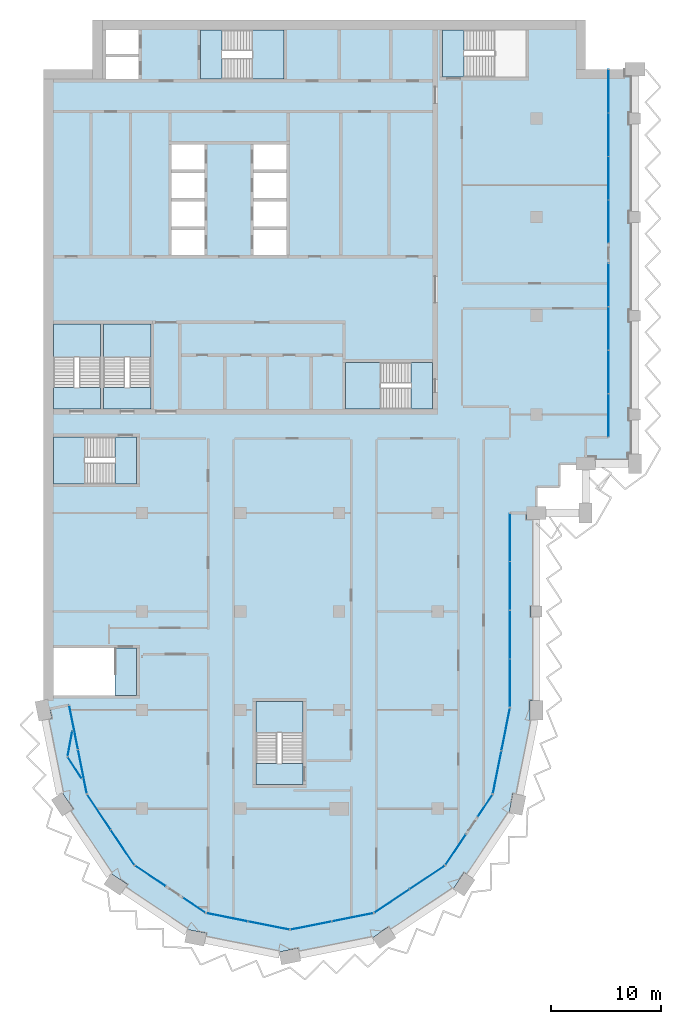
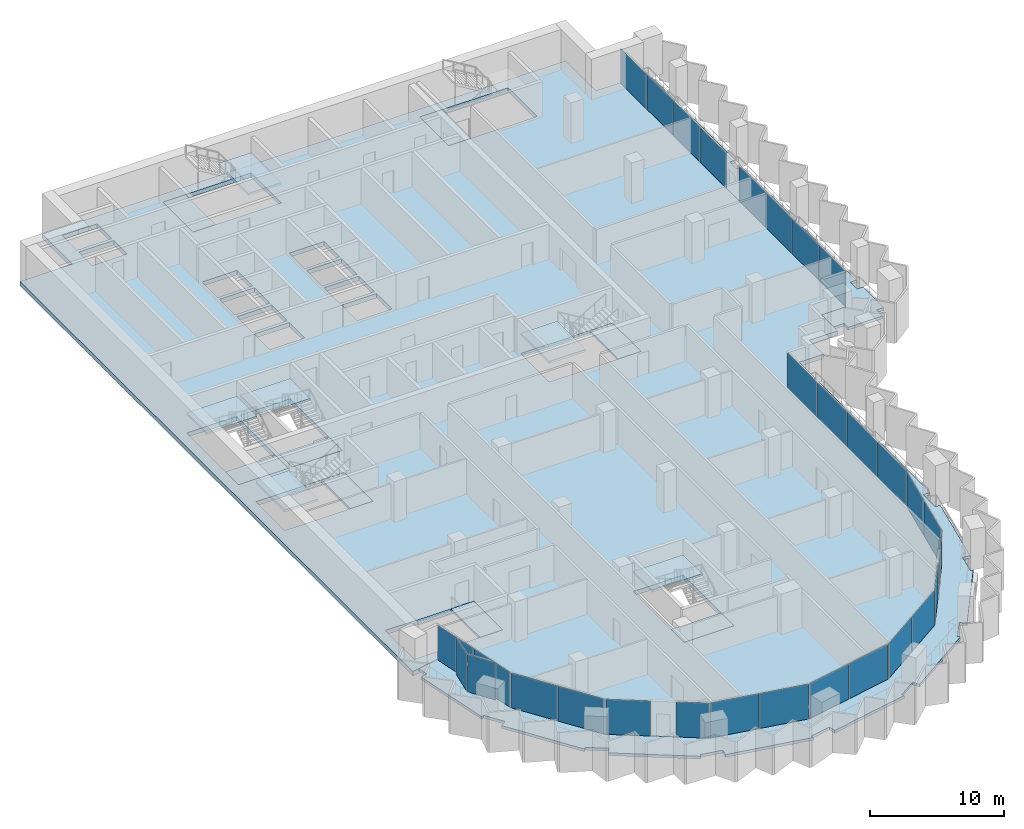
# One storey, part 7 of 18: 30 plates, 17 slabs, 21 elements without a shape of their own.
"""IFC4 building model written with IfcOpenShell, lengths in metres."""

from ifc_helpers import new_model, si_unit, direction, frame, origin, origin_2d, place, context, subcontext, project, spatial, polyline, rectangle, outline, extrude, material, layer, layer_set, type_object, element, aggregate, save


model = new_model("IFC4")

# Units and contexts
model_context = context("Model", 3, precision=1e-05, world=origin(), true_north=direction((0.0, 1.0)))
body_context = subcontext(model_context, "Body", "Model", "MODEL_VIEW")
ifc_project = project(units=[si_unit("LENGTHUNIT", "METRE"), si_unit("AREAUNIT", "SQUARE_METRE"), si_unit("VOLUMEUNIT", "CUBIC_METRE"), si_unit("PLANEANGLEUNIT", "RADIAN"), si_unit("MASSUNIT", "GRAM", prefix="KILO")], contexts=[model_context])

# Site, building, storey
site_placement = place(None, origin())
site = spatial("IfcSite", under=ifc_project, at=site_placement, CompositionType="ELEMENT")
building_placement = place(site_placement, origin())
building = spatial("IfcBuilding", under=site, at=building_placement, Name="Hunhe Ridgeline Campus", CompositionType="ELEMENT")
storey_placement = place(building_placement, frame((0.0, 0.0, 223.5)))
storey = spatial("IfcBuildingStorey", under=building, at=storey_placement, Name="L57", CompositionType="ELEMENT", Elevation=223.5)

# Curtain wall, plates
ifc_material_1 = material(Name="Aluminium 6063", Category="aluminium")
curtain_wall_type_1 = type_object("IfcCurtainWallType", Name="Curtain wall CW-5", PredefinedType="NOTDEFINED", material=ifc_material_1)
curtain_wall_1_placement = place(storey_placement, origin())
curtain_wall_1 = element("IfcCurtainWall", 1, at=curtain_wall_1_placement, inside=storey, type_object=curtain_wall_type_1, Name="Curtain wall 01", PredefinedType="NOTDEFINED")
ifc_material_2 = material(Name="Low-e laminated glass", Category="glass")
ifc_layer_1 = layer(ifc_material_2, 0.028076171875)
ifc_layer_set_1 = layer_set([ifc_layer_1], Name="Curtain wall glass panel 28 low-e laminated")
plate_type = type_object("IfcPlateType", Name="Curtain wall glass panel 28 low-e laminated", PredefinedType="CURTAIN_PANEL", material=ifc_layer_set_1)
plate_1_placement = place(storey_placement, frame((2.76318359375, 34.416015625, 0.0), z_axis=(0.0, 0.0, 1.0), x_axis=(0.195095347137, -0.980784280831, 0.0)))
plate_1 = element("IfcPlate", 2, at=plate_1_placement, type_object=plate_type, Name="CW-5 panel 1", PredefinedType="CURTAIN_PANEL", context=body_context, shape_type="SweptSolid", body=[
    extrude(rectangle(XDim=4.0458984375, YDim=0.028076171875, at=origin_2d()), origin(), (0.0, 0.0, 1.0), 3.179931640625),
])
plate_2_placement = place(storey_placement, frame((3.566162109375, 30.379150390625, 0.0), z_axis=(0.0, 0.0, 1.0), x_axis=(0.195095347137, -0.980784280831, 0.0)))
plate_2 = element("IfcPlate", 3, at=plate_2_placement, type_object=plate_type, Name="CW-5 panel 2", PredefinedType="CURTAIN_PANEL", context=body_context, shape_type="SweptSolid", body=[
    extrude(rectangle(XDim=4.0458984375, YDim=0.028076171875, at=origin_2d()), origin(), (0.0, 0.0, 1.0), 3.179931640625),
])
aggregate(curtain_wall_1, [plate_1, plate_2])

# Curtain wall, plate
curtain_wall_type_2 = type_object("IfcCurtainWallType", Name="Curtain wall CW-2", PredefinedType="NOTDEFINED", material=ifc_material_1)
curtain_wall_2_placement = place(storey_placement, origin())
curtain_wall_2 = element("IfcCurtainWall", 4, at=curtain_wall_2_placement, inside=storey, type_object=curtain_wall_type_2, Name="Curtain wall B01a", PredefinedType="NOTDEFINED")
plate_3_placement = place(storey_placement, frame((2.4248046875, 32.938720703125, 0.0), z_axis=(0.0, 0.0, 1.0), x_axis=(-0.183112559813, -0.983091954213, 0.0)))
plate_3 = element("IfcPlate", 5, at=plate_3_placement, type_object=plate_type, Name="CW-2 panel 1", PredefinedType="CURTAIN_PANEL", context=body_context, shape_type="SweptSolid", body=[
    extrude(rectangle(XDim=2.30322265625, YDim=0.028076171875, at=origin_2d()), origin(), (0.0, 0.0, 1.0), 3.389892578125),
])
aggregate(curtain_wall_2, [plate_3])

curtain_wall_3_placement = place(storey_placement, origin())
curtain_wall_3 = element("IfcCurtainWall", 6, at=curtain_wall_3_placement, inside=storey, type_object=curtain_wall_type_2, Name="Curtain wall B01b", PredefinedType="NOTDEFINED")
plate_4_placement = place(storey_placement, frame((2.86376953125, 30.73193359375, 0.0), z_axis=(0.0, 0.0, 1.0), x_axis=(0.545395474403, -0.838178845176, 0.0)))
plate_4 = element("IfcPlate", 7, at=plate_4_placement, type_object=plate_type, Name="CW-2 panel 1", PredefinedType="CURTAIN_PANEL", context=body_context, shape_type="SweptSolid", body=[
    extrude(rectangle(XDim=2.30322265625, YDim=0.028076171875, at=origin_2d()), origin(), (0.0, 0.0, 1.0), 3.389892578125),
])
aggregate(curtain_wall_3, [plate_4])

# Curtain wall, plates
curtain_wall_4_placement = place(storey_placement, origin())
curtain_wall_4 = element("IfcCurtainWall", 8, at=curtain_wall_4_placement, inside=storey, type_object=curtain_wall_type_1, Name="Curtain wall 02", PredefinedType="NOTDEFINED")
plate_5_placement = place(storey_placement, frame((5.07080078125, 26.685546875, 0.0), z_axis=(0.0, 0.0, 1.0), x_axis=(0.555570274596, -0.831469584522, 0.0)))
plate_5 = element("IfcPlate", 9, at=plate_5_placement, type_object=plate_type, Name="CW-5 panel 1", PredefinedType="CURTAIN_PANEL", context=body_context, shape_type="SweptSolid", body=[
    extrude(rectangle(XDim=3.806884765625, YDim=0.028076171875, at=origin_2d()), origin(), (0.0, 0.0, 1.0), 3.179931640625),
])
plate_6_placement = place(storey_placement, frame((7.224609375, 23.4619140625, 0.0), z_axis=(0.0, 0.0, 1.0), x_axis=(0.555570274596, -0.831469584522, 0.0)))
plate_6 = element("IfcPlate", 10, at=plate_6_placement, type_object=plate_type, Name="CW-5 panel 2", PredefinedType="CURTAIN_PANEL", context=body_context, shape_type="SweptSolid", body=[
    extrude(rectangle(XDim=3.806884765625, YDim=0.028076171875, at=origin_2d()), origin(), (0.0, 0.0, 1.0), 3.179931640625),
])
aggregate(curtain_wall_4, [plate_5, plate_6])

# Curtain wall, plate
curtain_wall_5_placement = place(storey_placement, origin())
curtain_wall_5 = element("IfcCurtainWall", 11, at=curtain_wall_5_placement, inside=storey, type_object=curtain_wall_type_1, Name="Curtain wall 03", PredefinedType="NOTDEFINED")
plate_7_placement = place(storey_placement, frame((9.76025390625, 20.859375, 0.0), z_axis=(0.0, 0.0, 1.0), x_axis=(0.831469595944, -0.555570257501, 0.0)))
plate_7 = element("IfcPlate", 12, at=plate_7_placement, type_object=plate_type, Name="CW-5 panel 1", PredefinedType="CURTAIN_PANEL", context=body_context, shape_type="SweptSolid", body=[
    extrude(rectangle(XDim=3.322021484375, YDim=0.028076171875, at=origin_2d()), origin(), (0.0, 0.0, 1.0), 3.179931640625),
])
aggregate(curtain_wall_5, [plate_7])

curtain_wall_6_placement = place(storey_placement, origin())
curtain_wall_6 = element("IfcCurtainWall", 13, at=curtain_wall_6_placement, inside=storey, type_object=curtain_wall_type_1, Name="Curtain wall 04", PredefinedType="NOTDEFINED")
plate_8_placement = place(storey_placement, frame((13.761474609375, 18.18603515625, 0.0), z_axis=(0.0, 0.0, 1.0), x_axis=(0.831469510353, -0.555570385598, 0.0)))
plate_8 = element("IfcPlate", 14, at=plate_8_placement, type_object=plate_type, Name="CW-5 panel 1", PredefinedType="CURTAIN_PANEL", context=body_context, shape_type="SweptSolid", body=[
    extrude(rectangle(XDim=2.421875, YDim=0.028076171875, at=origin_2d()), origin(), (0.0, 0.0, 1.0), 3.179931640625),
])
aggregate(curtain_wall_6, [plate_8])

# Curtain wall, plates
curtain_wall_7_placement = place(storey_placement, origin())
curtain_wall_7 = element("IfcCurtainWall", 15, at=curtain_wall_7_placement, inside=storey, type_object=curtain_wall_type_1, Name="Curtain wall 05", PredefinedType="NOTDEFINED")
plate_9_placement = place(storey_placement, frame((16.761962890625, 17.08935546875, 0.0), z_axis=(0.0, 0.0, 1.0), x_axis=(0.980785275326, -0.195090347539, 0.0)))
plate_9 = element("IfcPlate", 16, at=plate_9_placement, type_object=plate_type, Name="CW-5 panel 1", PredefinedType="CURTAIN_PANEL", context=body_context, shape_type="SweptSolid", body=[
    extrude(rectangle(XDim=3.806884765625, YDim=0.028076171875, at=origin_2d()), origin(), (0.0, 0.0, 1.0), 3.179931640625),
])
plate_10_placement = place(storey_placement, frame((20.564453125, 16.3330078125, 0.0), z_axis=(0.0, 0.0, 1.0), x_axis=(0.980785275326, -0.195090347539, 0.0)))
plate_10 = element("IfcPlate", 17, at=plate_10_placement, type_object=plate_type, Name="CW-5 panel 2", PredefinedType="CURTAIN_PANEL", context=body_context, shape_type="SweptSolid", body=[
    extrude(rectangle(XDim=3.806884765625, YDim=0.028076171875, at=origin_2d()), origin(), (0.0, 0.0, 1.0), 3.179931640625),
])
aggregate(curtain_wall_7, [plate_9, plate_10])

curtain_wall_8_placement = place(storey_placement, origin())
curtain_wall_8 = element("IfcCurtainWall", 18, at=curtain_wall_8_placement, inside=storey, type_object=curtain_wall_type_1, Name="Curtain wall 06", PredefinedType="NOTDEFINED")
plate_11_placement = place(storey_placement, frame((24.435546875, 16.3330078125, 0.0), z_axis=(0.0, 0.0, 1.0), x_axis=(0.980785275326, 0.195090347539, 0.0)))
plate_11 = element("IfcPlate", 19, at=plate_11_placement, type_object=plate_type, Name="CW-5 panel 1", PredefinedType="CURTAIN_PANEL", context=body_context, shape_type="SweptSolid", body=[
    extrude(rectangle(XDim=3.806884765625, YDim=0.028076171875, at=origin_2d()), origin(), (0.0, 0.0, 1.0), 3.179931640625),
])
plate_12_placement = place(storey_placement, frame((28.238037109375, 17.08935546875, 0.0), z_axis=(0.0, 0.0, 1.0), x_axis=(0.980785275326, 0.195090347539, 0.0)))
plate_12 = element("IfcPlate", 20, at=plate_12_placement, type_object=plate_type, Name="CW-5 panel 2", PredefinedType="CURTAIN_PANEL", context=body_context, shape_type="SweptSolid", body=[
    extrude(rectangle(XDim=3.806884765625, YDim=0.028076171875, at=origin_2d()), origin(), (0.0, 0.0, 1.0), 3.179931640625),
])
aggregate(curtain_wall_8, [plate_11, plate_12])

curtain_wall_9_placement = place(storey_placement, origin())
curtain_wall_9 = element("IfcCurtainWall", 21, at=curtain_wall_9_placement, inside=storey, type_object=curtain_wall_type_1, Name="Curtain wall 07", PredefinedType="NOTDEFINED")
plate_13_placement = place(storey_placement, frame((31.814453125, 18.57080078125, 0.0), z_axis=(0.0, 0.0, 1.0), x_axis=(0.831469584522, 0.555570274596, 0.0)))
plate_13 = element("IfcPlate", 22, at=plate_13_placement, type_object=plate_type, Name="CW-5 panel 1", PredefinedType="CURTAIN_PANEL", context=body_context, shape_type="SweptSolid", body=[
    extrude(rectangle(XDim=3.806884765625, YDim=0.028076171875, at=origin_2d()), origin(), (0.0, 0.0, 1.0), 3.179931640625),
])
plate_14_placement = place(storey_placement, frame((35.0380859375, 20.724609375, 0.0), z_axis=(0.0, 0.0, 1.0), x_axis=(0.831469584522, 0.555570274596, 0.0)))
plate_14 = element("IfcPlate", 23, at=plate_14_placement, type_object=plate_type, Name="CW-5 panel 2", PredefinedType="CURTAIN_PANEL", context=body_context, shape_type="SweptSolid", body=[
    extrude(rectangle(XDim=3.806884765625, YDim=0.028076171875, at=origin_2d()), origin(), (0.0, 0.0, 1.0), 3.179931640625),
])
aggregate(curtain_wall_9, [plate_13, plate_14])

# Curtain wall, plate
curtain_wall_10_placement = place(storey_placement, origin())
curtain_wall_10 = element("IfcCurtainWall", 24, at=curtain_wall_10_placement, inside=storey, type_object=curtain_wall_type_1, Name="Curtain wall 08", PredefinedType="NOTDEFINED")
plate_15_placement = place(storey_placement, frame((37.640625, 23.26025390625, 0.0), z_axis=(0.0, 0.0, 1.0), x_axis=(0.555570257501, 0.831469595944, 0.0)))
plate_15 = element("IfcPlate", 25, at=plate_15_placement, type_object=plate_type, Name="CW-5 panel 1", PredefinedType="CURTAIN_PANEL", context=body_context, shape_type="SweptSolid", body=[
    extrude(rectangle(XDim=3.322021484375, YDim=0.028076171875, at=origin_2d()), origin(), (0.0, 0.0, 1.0), 3.179931640625),
])
aggregate(curtain_wall_10, [plate_15])

curtain_wall_11_placement = place(storey_placement, origin())
curtain_wall_11 = element("IfcCurtainWall", 26, at=curtain_wall_11_placement, inside=storey, type_object=curtain_wall_type_1, Name="Curtain wall 09", PredefinedType="NOTDEFINED")
plate_16_placement = place(storey_placement, frame((40.31396484375, 27.261474609375, 0.0), z_axis=(0.0, 0.0, 1.0), x_axis=(0.555570385598, 0.831469510353, 0.0)))
plate_16 = element("IfcPlate", 27, at=plate_16_placement, type_object=plate_type, Name="CW-5 panel 1", PredefinedType="CURTAIN_PANEL", context=body_context, shape_type="SweptSolid", body=[
    extrude(rectangle(XDim=2.421875, YDim=0.028076171875, at=origin_2d()), origin(), (0.0, 0.0, 1.0), 3.179931640625),
])
aggregate(curtain_wall_11, [plate_16])

# Curtain wall, plates
curtain_wall_12_placement = place(storey_placement, origin())
curtain_wall_12 = element("IfcCurtainWall", 28, at=curtain_wall_12_placement, inside=storey, type_object=curtain_wall_type_1, Name="Curtain wall 10", PredefinedType="NOTDEFINED")
plate_17_placement = place(storey_placement, frame((41.42236328125, 30.321044921875, 0.0), z_axis=(0.0, 0.0, 1.0), x_axis=(0.195090299215, 0.980785284939, 0.0)))
plate_17 = element("IfcPlate", 29, at=plate_17_placement, type_object=plate_type, Name="CW-5 panel 1", PredefinedType="CURTAIN_PANEL", context=body_context, shape_type="SweptSolid", body=[
    extrude(rectangle(XDim=3.927490234375, YDim=0.028076171875, at=origin_2d()), origin(), (0.0, 0.0, 1.0), 3.179931640625),
])
plate_18_placement = place(storey_placement, frame((42.2021484375, 34.24169921875, 0.0), z_axis=(0.0, 0.0, 1.0), x_axis=(0.195090299215, 0.980785284939, 0.0)))
plate_18 = element("IfcPlate", 30, at=plate_18_placement, type_object=plate_type, Name="CW-5 panel 2", PredefinedType="CURTAIN_PANEL", context=body_context, shape_type="SweptSolid", body=[
    extrude(rectangle(XDim=3.927490234375, YDim=0.028076171875, at=origin_2d()), origin(), (0.0, 0.0, 1.0), 3.179931640625),
])
aggregate(curtain_wall_12, [plate_17, plate_18])

curtain_wall_type_3 = type_object("IfcCurtainWallType", Name="Curtain wall CW-1", PredefinedType="NOTDEFINED", material=ifc_material_1)
curtain_wall_13_placement = place(storey_placement, origin())
curtain_wall_13 = element("IfcCurtainWall", 31, at=curtain_wall_13_placement, inside=storey, type_object=curtain_wall_type_3, Name="Curtain wall 11", PredefinedType="NOTDEFINED")
plate_19_placement = place(storey_placement, frame((42.59912109375, 38.471923828125, 0.0), z_axis=(0.0, 0.0, 1.0), x_axis=(6.642653e-06, 0.999999999978, 0.0)))
plate_19 = element("IfcPlate", 32, at=plate_19_placement, type_object=plate_type, Name="CW-1 panel 1", PredefinedType="CURTAIN_PANEL", context=body_context, shape_type="SweptSolid", body=[
    extrude(rectangle(XDim=4.35107421875, YDim=0.028076171875, at=origin_2d()), origin(), (0.0, 0.0, 1.0), 3.18994140625),
])
plate_20_placement = place(storey_placement, frame((42.59912109375, 42.89794921875, 0.0), z_axis=(0.0, 0.0, 1.0), x_axis=(6.642653e-06, 0.999999999978, 0.0)))
plate_20 = element("IfcPlate", 33, at=plate_20_placement, type_object=plate_type, Name="CW-1 panel 2", PredefinedType="CURTAIN_PANEL", context=body_context, shape_type="SweptSolid", body=[
    extrude(rectangle(XDim=4.381103515625, YDim=0.028076171875, at=origin_2d()), origin(), (0.0, 0.0, 1.0), 3.18994140625),
])
plate_21_placement = place(storey_placement, frame((42.59912109375, 47.3388671875, 0.0), z_axis=(0.0, 0.0, 1.0), x_axis=(6.642653e-06, 0.999999999978, 0.0)))
plate_21 = element("IfcPlate", 34, at=plate_21_placement, type_object=plate_type, Name="CW-1 panel 3", PredefinedType="CURTAIN_PANEL", context=body_context, shape_type="SweptSolid", body=[
    extrude(rectangle(XDim=4.381103515625, YDim=0.028076171875, at=origin_2d()), origin(), (0.0, 0.0, 1.0), 3.18994140625),
])
plate_22_placement = place(storey_placement, frame((42.59912109375, 51.764892578125, 0.0), z_axis=(0.0, 0.0, 1.0), x_axis=(6.642653e-06, 0.999999999978, 0.0)))
plate_22 = element("IfcPlate", 35, at=plate_22_placement, type_object=plate_type, Name="CW-1 panel 4", PredefinedType="CURTAIN_PANEL", context=body_context, shape_type="SweptSolid", body=[
    extrude(rectangle(XDim=4.35107421875, YDim=0.028076171875, at=origin_2d()), origin(), (0.0, 0.0, 1.0), 3.18994140625),
])
aggregate(curtain_wall_13, [plate_19, plate_20, plate_21, plate_22])

curtain_wall_14_placement = place(storey_placement, origin())
curtain_wall_14 = element("IfcCurtainWall", 36, at=curtain_wall_14_placement, inside=storey, type_object=curtain_wall_type_3, Name="Curtain wall 12", PredefinedType="NOTDEFINED")
plate_23_placement = place(storey_placement, frame((51.59912109375, 62.9033203125, 0.0), z_axis=(0.0, 0.0, 1.0), x_axis=(0.0, 1.0, 0.0)))
plate_23 = element("IfcPlate", 37, at=plate_23_placement, type_object=plate_type, Name="CW-1 panel 1", PredefinedType="CURTAIN_PANEL", context=body_context, shape_type="SweptSolid", body=[
    extrude(rectangle(XDim=3.884765625, YDim=0.028076171875, at=origin_2d()), origin(), (0.0, 0.0, 1.0), 3.18994140625),
])
plate_24_placement = place(storey_placement, frame((51.59912109375, 66.86328125, 0.0), z_axis=(0.0, 0.0, 1.0), x_axis=(0.0, 1.0, 0.0)))
plate_24 = element("IfcPlate", 38, at=plate_24_placement, type_object=plate_type, Name="CW-1 panel 2", PredefinedType="CURTAIN_PANEL", context=body_context, shape_type="SweptSolid", body=[
    extrude(rectangle(XDim=3.914794921875, YDim=0.028076171875, at=origin_2d()), origin(), (0.0, 0.0, 1.0), 3.18994140625),
])
plate_25_placement = place(storey_placement, frame((51.59912109375, 70.838134765625, 0.0), z_axis=(0.0, 0.0, 1.0), x_axis=(0.0, 1.0, 0.0)))
plate_25 = element("IfcPlate", 39, at=plate_25_placement, type_object=plate_type, Name="CW-1 panel 3", PredefinedType="CURTAIN_PANEL", context=body_context, shape_type="SweptSolid", body=[
    extrude(rectangle(XDim=3.914794921875, YDim=0.028076171875, at=origin_2d()), origin(), (0.0, 0.0, 1.0), 3.18994140625),
])
plate_26_placement = place(storey_placement, frame((51.59912109375, 74.798095703125, 0.0), z_axis=(0.0, 0.0, 1.0), x_axis=(0.0, 1.0, 0.0)))
plate_26 = element("IfcPlate", 40, at=plate_26_placement, type_object=plate_type, Name="CW-1 panel 4", PredefinedType="CURTAIN_PANEL", context=body_context, shape_type="SweptSolid", body=[
    extrude(rectangle(XDim=3.884765625, YDim=0.028076171875, at=origin_2d()), origin(), (0.0, 0.0, 1.0), 3.18994140625),
])
aggregate(curtain_wall_14, [plate_23, plate_24, plate_25, plate_26])

curtain_wall_15_placement = place(storey_placement, origin())
curtain_wall_15 = element("IfcCurtainWall", 41, at=curtain_wall_15_placement, inside=storey, type_object=curtain_wall_type_3, Name="Curtain wall 13", PredefinedType="NOTDEFINED")
plate_27_placement = place(storey_placement, frame((51.59912109375, 80.60302734375, 0.0), z_axis=(0.0, 0.0, 1.0), x_axis=(0.0, 1.0, 0.0)))
plate_27 = element("IfcPlate", 42, at=plate_27_placement, type_object=plate_type, Name="CW-1 panel 1", PredefinedType="CURTAIN_PANEL", context=body_context, shape_type="SweptSolid", body=[
    extrude(rectangle(XDim=3.884765625, YDim=0.028076171875, at=origin_2d()), origin(), (0.0, 0.0, 1.0), 3.18994140625),
])
plate_28_placement = place(storey_placement, frame((51.59912109375, 84.562744140625, 0.0), z_axis=(0.0, 0.0, 1.0), x_axis=(0.0, 1.0, 0.0)))
plate_28 = element("IfcPlate", 43, at=plate_28_placement, type_object=plate_type, Name="CW-1 panel 2", PredefinedType="CURTAIN_PANEL", context=body_context, shape_type="SweptSolid", body=[
    extrude(rectangle(XDim=3.914794921875, YDim=0.028076171875, at=origin_2d()), origin(), (0.0, 0.0, 1.0), 3.18994140625),
])
plate_29_placement = place(storey_placement, frame((51.59912109375, 88.53759765625, 0.0), z_axis=(0.0, 0.0, 1.0), x_axis=(0.0, 1.0, 0.0)))
plate_29 = element("IfcPlate", 44, at=plate_29_placement, type_object=plate_type, Name="CW-1 panel 3", PredefinedType="CURTAIN_PANEL", context=body_context, shape_type="SweptSolid", body=[
    extrude(rectangle(XDim=3.914794921875, YDim=0.028076171875, at=origin_2d()), origin(), (0.0, 0.0, 1.0), 3.18994140625),
])
plate_30_placement = place(storey_placement, frame((51.59912109375, 92.49755859375, 0.0), z_axis=(0.0, 0.0, 1.0), x_axis=(0.0, 1.0, 0.0)))
plate_30 = element("IfcPlate", 45, at=plate_30_placement, type_object=plate_type, Name="CW-1 panel 4", PredefinedType="CURTAIN_PANEL", context=body_context, shape_type="SweptSolid", body=[
    extrude(rectangle(XDim=3.884765625, YDim=0.028076171875, at=origin_2d()), origin(), (0.0, 0.0, 1.0), 3.18994140625),
])
aggregate(curtain_wall_15, [plate_27, plate_28, plate_29, plate_30])

# Slabs
ifc_material_3 = material(Name="Concrete C40", Category="concrete")
ifc_layer_2 = layer(ifc_material_3, 0.39990234375)
ifc_layer_set_2 = layer_set([ifc_layer_2], Name="Floor slab 400 Concrete C40")
slab_type_1 = type_object("IfcSlabType", Name="Floor slab 400 Concrete C40", PredefinedType="FLOOR", material=ifc_layer_set_2)
slab_1_placement = place(storey_placement, frame((0.0, 0.0, -0.39990234375)))
element("IfcSlab", 46, at=slab_1_placement, inside=storey, type_object=slab_type_1, Name="Floor slab L57 1", PredefinedType="FLOOR", context=body_context, shape_type="SweptSolid", body=[
    extrude(outline(polyline([(30.173583984375, 17.474365234375), (36.678955078125, 21.821044921875), (41.025634765625, 28.326416015625), (42.59912109375, 36.236572265625), (42.59912109375, 54.00048828125), (44.9990234375, 54.0009765625), (44.999267578125, 56.400634765625), (47.09912109375, 56.40087890625), (47.099609375, 58.5009765625), (49.4990234375, 58.5009765625), (49.49951171875, 60.90087890625), (51.59912109375, 60.90087890625), (51.59912109375, 94.5), (49.5, 94.5), (49.5, 99.0), (4.5, 99.0), (4.5, 94.5), (0.0, 94.5), (0.0, 36.0009765625), (2.354736328125, 36.46875), (3.974365234375, 28.326416015625), (8.321044921875, 21.821044921875), (14.826416015625, 17.474365234375), (22.5, 15.947998046875), (30.173583984375, 17.474365234375)]), holes=[polyline([(36.449951171875, 93.800048828125), (44.050048828125, 93.800048828125), (44.050048828125, 98.10009765625), (36.449951171875, 98.10009765625), (36.449951171875, 93.800048828125)]), polyline([(35.5, 63.5), (35.5, 67.75), (27.60009765625, 67.75), (27.60009765625, 63.5), (35.5, 63.5)]), polyline([(19.39990234375, 29.199951171875), (23.699951171875, 29.199951171875), (23.699951171875, 36.800048828125), (19.39990234375, 36.800048828125), (19.39990234375, 29.199951171875)]), polyline([(22.199951171875, 80.14990234375), (22.199951171875, 82.449951171875), (19.199951171875, 82.449951171875), (19.199951171875, 80.14990234375), (22.199951171875, 80.14990234375)]), polyline([(22.199951171875, 79.85009765625), (19.199951171875, 79.85009765625), (19.199951171875, 77.550048828125), (22.199951171875, 77.550048828125), (22.199951171875, 79.85009765625)]), polyline([(19.199951171875, 87.64990234375), (19.199951171875, 85.35009765625), (22.199951171875, 85.35009765625), (22.199951171875, 87.64990234375), (19.199951171875, 87.64990234375)]), polyline([(19.199951171875, 82.75), (22.199951171875, 82.75), (22.199951171875, 85.050048828125), (19.199951171875, 85.050048828125), (19.199951171875, 82.75)]), polyline([(14.35009765625, 93.60009765625), (21.949951171875, 93.60009765625), (21.949951171875, 98.10009765625), (14.35009765625, 98.10009765625), (14.35009765625, 93.60009765625)]), polyline([(14.699951171875, 79.85009765625), (11.699951171875, 79.85009765625), (11.699951171875, 77.550048828125), (14.699951171875, 77.550048828125), (14.699951171875, 79.85009765625)]), polyline([(14.699951171875, 80.14990234375), (14.699951171875, 82.449951171875), (11.699951171875, 82.449951171875), (11.699951171875, 80.14990234375), (14.699951171875, 80.14990234375)]), polyline([(11.699951171875, 87.64990234375), (11.699951171875, 85.35009765625), (14.699951171875, 85.35009765625), (14.699951171875, 87.64990234375), (11.699951171875, 87.64990234375)]), polyline([(11.699951171875, 82.75), (14.699951171875, 82.75), (14.699951171875, 85.050048828125), (11.699951171875, 85.050048828125), (11.699951171875, 82.75)]), polyline([(9.800048828125, 71.25), (5.5, 71.25), (5.5, 63.5), (9.800048828125, 63.5), (9.800048828125, 71.25)]), polyline([(8.699951171875, 95.89990234375), (8.699951171875, 98.10009765625), (5.699951171875, 98.10009765625), (5.699951171875, 95.89990234375), (8.699951171875, 95.89990234375)]), polyline([(8.699951171875, 95.60009765625), (5.699951171875, 95.60009765625), (5.699951171875, 93.60009765625), (8.699951171875, 93.60009765625), (8.699951171875, 95.60009765625)]), polyline([(0.89990234375, 37.35009765625), (8.5, 37.35009765625), (8.5, 41.64990234375), (0.89990234375, 41.64990234375), (0.89990234375, 37.35009765625)]), polyline([(0.89990234375, 60.949951171875), (0.89990234375, 56.64990234375), (8.5, 56.64990234375), (8.5, 60.949951171875), (0.89990234375, 60.949951171875)]), polyline([(0.89990234375, 71.25), (0.89990234375, 63.5), (5.199951171875, 63.5), (5.199951171875, 71.25), (0.89990234375, 71.25)])]), origin(), (0.0, 0.0, 1.0), 0.39990234375),
])
ifc_layer_3 = layer(ifc_material_3, 0.25)
ifc_layer_set_3 = layer_set([ifc_layer_3], Name="Loggia slab 250 Concrete C40")
slab_type_2 = type_object("IfcSlabType", Name="Loggia slab 250 Concrete C40", PredefinedType="FLOOR", material=ifc_layer_set_3)
slab_2_placement = place(storey_placement, frame((0.0, 0.0, -0.25)))
element("IfcSlab", 47, at=slab_2_placement, inside=storey, type_object=slab_type_2, Name="Loggia slab 1", PredefinedType="FLOOR", context=body_context, shape_type="SweptSolid", body=[
    extrude(outline(polyline([(30.173828125, 17.473388671875), (22.5, 15.947021484375), (14.826171875, 17.473388671875), (8.3203125, 21.8203125), (3.973388671875, 28.326171875), (2.35400390625, 36.46826171875), (0.58837890625, 36.116943359375), (0.76416015625, 35.234375), (0.175537109375, 35.1171875), (1.522705078125, 28.344970703125), (1.711669921875, 28.47119140625), (2.711669921875, 26.974609375), (2.212646484375, 26.641357421875), (6.048828125, 20.900146484375), (6.175048828125, 21.089111328125), (7.671875, 20.0888671875), (7.33837890625, 19.590087890625), (13.07958984375, 15.75390625), (13.1240234375, 15.976806640625), (14.889404296875, 15.62548828125), (14.772216796875, 15.037109375), (21.544677734375, 13.68994140625), (21.500244140625, 13.912841796875), (23.265625, 14.26416015625), (23.3828125, 13.675537109375), (30.155029296875, 15.022705078125), (30.02880859375, 15.211669921875), (31.525390625, 16.211669921875), (31.858642578125, 15.712646484375), (37.599853515625, 19.548828125), (37.410888671875, 19.675048828125), (38.4111328125, 21.171875), (38.909912109375, 20.83837890625), (42.74609375, 26.57958984375), (42.523193359375, 26.6240234375), (42.87451171875, 28.389404296875), (43.462890625, 28.272216796875), (44.821044921875, 35.10009765625), (44.39990234375, 35.10009765625), (44.39990234375, 36.89990234375), (45.0, 36.89990234375), (45.0, 44.5), (44.5, 44.5), (44.5, 45.5), (45.0, 45.5), (45.0, 53.39990234375), (44.10009765625, 53.39990234375), (44.10009765625, 54.0), (42.60009765625, 54.0), (42.60009765625, 36.236328125), (41.026611328125, 28.326171875), (36.6796875, 21.8203125), (30.173828125, 17.473388671875)])), origin(), (0.0, 0.0, 1.0), 0.25),
])
slab_3_placement = place(storey_placement, frame((0.0, 0.0, -0.25)))
element("IfcSlab", 48, at=slab_3_placement, inside=storey, type_object=slab_type_2, Name="Loggia slab 2", PredefinedType="FLOOR", context=body_context, shape_type="SweptSolid", body=[
    extrude(outline(polyline([(49.5, 59.10009765625), (50.39990234375, 59.10009765625), (50.39990234375, 58.5), (53.39990234375, 58.5), (53.39990234375, 59.39990234375), (54.0, 59.39990234375), (54.0, 62.5), (53.5, 62.5), (53.5, 63.5), (54.0, 63.5), (54.0, 71.5), (53.5, 71.5), (53.5, 72.5), (54.0, 72.5), (54.0, 80.5), (53.5, 80.5), (53.5, 81.5), (54.0, 81.5), (54.0, 89.5), (53.5, 89.5), (53.5, 90.5), (54.0, 90.5), (54.0, 93.89990234375), (53.10009765625, 93.89990234375), (53.10009765625, 94.5), (51.60009765625, 94.5), (51.60009765625, 60.89990234375), (49.5, 60.89990234375), (49.5, 59.10009765625)])), origin(), (0.0, 0.0, 1.0), 0.25),
])

# Stair, slab
stair_type = type_object("IfcStairType", Name="Reinforced concrete dog-leg stair 1950 Concrete C40", PredefinedType="HALF_TURN_STAIR", material=ifc_material_3)
stair_1_placement = place(storey_placement, origin())
stair_1 = element("IfcStair", 49, at=stair_1_placement, inside=storey, type_object=stair_type, Name="L57 S1", PredefinedType="HALF_TURN_STAIR")
ifc_layer_4 = layer(ifc_material_3, 0.199951171875)
ifc_layer_set_4 = layer_set([ifc_layer_4], Name="Reinforced concrete stair landing 200 Concrete C40")
slab_type_3 = type_object("IfcSlabType", Name="Reinforced concrete stair landing 200 Concrete C40", PredefinedType="LANDING", material=ifc_layer_set_4)
slab_4_placement = place(storey_placement, frame((0.0, 0.0, 1.64990234375)))
slab_4 = element("IfcSlab", 50, at=slab_4_placement, type_object=slab_type_3, Name="ST1 landing 1", PredefinedType="LANDING", context=body_context, shape_type="SweptSolid", body=[
    extrude(outline(polyline([(19.10009765625, 93.60009765625), (21.949951171875, 93.60009765625), (21.949951171875, 98.10009765625), (19.10009765625, 98.10009765625), (19.10009765625, 93.60009765625)])), origin(), (0.0, 0.0, 1.0), 0.2001953125),
])
aggregate(stair_1, [slab_4])

# Slab
slab_5_placement = place(storey_placement, frame((0.0, 0.0, -0.199951171875)))
element("IfcSlab", 51, at=slab_5_placement, inside=storey, type_object=slab_type_3, Name="L57 stair S1 floor landing", PredefinedType="LANDING", context=body_context, shape_type="SweptSolid", body=[
    extrude(outline(polyline([(14.35009765625, 93.60009765625), (16.300048828125, 93.60009765625), (16.300048828125, 98.10009765625), (14.35009765625, 98.10009765625), (14.35009765625, 93.60009765625)])), origin(), (0.0, 0.0, 1.0), 0.199951171875),
])

# Stair, slab
stair_2_placement = place(storey_placement, origin())
stair_2 = element("IfcStair", 52, at=stair_2_placement, inside=storey, type_object=stair_type, Name="L57 S2", PredefinedType="HALF_TURN_STAIR")
slab_6_placement = place(storey_placement, frame((0.0, 0.0, 1.64990234375)))
slab_6 = element("IfcSlab", 53, at=slab_6_placement, type_object=slab_type_3, Name="ST2 landing 1", PredefinedType="LANDING", context=body_context, shape_type="SweptSolid", body=[
    extrude(outline(polyline([(30.75, 67.75), (27.60009765625, 67.75), (27.60009765625, 63.5), (30.75, 63.5), (30.75, 67.75)])), origin(), (0.0, 0.0, 1.0), 0.2001953125),
])
aggregate(stair_2, [slab_6])

# Slab
slab_7_placement = place(storey_placement, frame((0.0, 0.0, -0.199951171875)))
element("IfcSlab", 54, at=slab_7_placement, inside=storey, type_object=slab_type_3, Name="L57 stair S2 floor landing", PredefinedType="LANDING", context=body_context, shape_type="SweptSolid", body=[
    extrude(outline(polyline([(35.5, 67.75), (33.550048828125, 67.75), (33.550048828125, 63.5), (35.5, 63.5), (35.5, 67.75)])), origin(), (0.0, 0.0, 1.0), 0.199951171875),
])

# Stair, slab
stair_3_placement = place(storey_placement, origin())
stair_3 = element("IfcStair", 55, at=stair_3_placement, inside=storey, type_object=stair_type, Name="L57 S3", PredefinedType="HALF_TURN_STAIR")
slab_8_placement = place(storey_placement, frame((0.0, 0.0, 1.64990234375)))
slab_8 = element("IfcSlab", 56, at=slab_8_placement, type_object=slab_type_3, Name="ST3 landing 1", PredefinedType="LANDING", context=body_context, shape_type="SweptSolid", body=[
    extrude(outline(polyline([(5.199951171875, 68.25), (5.199951171875, 71.25), (0.89990234375, 71.25), (0.89990234375, 68.25), (5.199951171875, 68.25)])), origin(), (0.0, 0.0, 1.0), 0.2001953125),
])
aggregate(stair_3, [slab_8])

# Slab
slab_9_placement = place(storey_placement, frame((0.0, 0.0, -0.199951171875)))
element("IfcSlab", 57, at=slab_9_placement, inside=storey, type_object=slab_type_3, Name="L57 stair S3 floor landing", PredefinedType="LANDING", context=body_context, shape_type="SweptSolid", body=[
    extrude(outline(polyline([(5.199951171875, 63.5), (5.199951171875, 65.449951171875), (0.89990234375, 65.449951171875), (0.89990234375, 63.5), (5.199951171875, 63.5)])), origin(), (0.0, 0.0, 1.0), 0.199951171875),
])

# Stair, slab
stair_4_placement = place(storey_placement, origin())
stair_4 = element("IfcStair", 58, at=stair_4_placement, inside=storey, type_object=stair_type, Name="L57 S4", PredefinedType="HALF_TURN_STAIR")
slab_10_placement = place(storey_placement, frame((0.0, 0.0, 1.64990234375)))
slab_10 = element("IfcSlab", 59, at=slab_10_placement, type_object=slab_type_3, Name="ST4 landing 1", PredefinedType="LANDING", context=body_context, shape_type="SweptSolid", body=[
    extrude(outline(polyline([(9.800048828125, 68.25), (9.800048828125, 71.25), (5.5, 71.25), (5.5, 68.25), (9.800048828125, 68.25)])), origin(), (0.0, 0.0, 1.0), 0.2001953125),
])
aggregate(stair_4, [slab_10])

# Slabs
slab_11_placement = place(storey_placement, frame((0.0, 0.0, -0.199951171875)))
element("IfcSlab", 60, at=slab_11_placement, inside=storey, type_object=slab_type_3, Name="L57 stair S4 floor landing", PredefinedType="LANDING", context=body_context, shape_type="SweptSolid", body=[
    extrude(outline(polyline([(9.800048828125, 63.5), (9.800048828125, 65.449951171875), (5.5, 65.449951171875), (5.5, 63.5), (9.800048828125, 63.5)])), origin(), (0.0, 0.0, 1.0), 0.199951171875),
])
slab_12_placement = place(storey_placement, frame((0.0, 0.0, -0.199951171875)))
element("IfcSlab", 61, at=slab_12_placement, inside=storey, type_object=slab_type_3, Name="L57 stair E1 floor landing", PredefinedType="LANDING", context=body_context, shape_type="SweptSolid", body=[
    extrude(outline(polyline([(36.449951171875, 93.800048828125), (38.39990234375, 93.800048828125), (38.39990234375, 98.10009765625), (36.449951171875, 98.10009765625), (36.449951171875, 93.800048828125)])), origin(), (0.0, 0.0, 1.0), 0.199951171875),
])

# Stair, slab
stair_5_placement = place(storey_placement, origin())
stair_5 = element("IfcStair", 62, at=stair_5_placement, inside=storey, type_object=stair_type, Name="L57 W3", PredefinedType="HALF_TURN_STAIR")
slab_13_placement = place(storey_placement, frame((0.0, 0.0, 1.64990234375)))
slab_13 = element("IfcSlab", 63, at=slab_13_placement, type_object=slab_type_3, Name="ST9 landing 1", PredefinedType="LANDING", context=body_context, shape_type="SweptSolid", body=[
    extrude(outline(polyline([(23.699951171875, 33.949951171875), (23.699951171875, 36.800048828125), (19.39990234375, 36.800048828125), (19.39990234375, 33.949951171875), (23.699951171875, 33.949951171875)])), origin(), (0.0, 0.0, 1.0), 0.2001953125),
])
aggregate(stair_5, [slab_13])

# Slabs
slab_14_placement = place(storey_placement, frame((0.0, 0.0, -0.199951171875)))
element("IfcSlab", 64, at=slab_14_placement, inside=storey, type_object=slab_type_3, Name="L57 stair W3 floor landing", PredefinedType="LANDING", context=body_context, shape_type="SweptSolid", body=[
    extrude(outline(polyline([(23.699951171875, 29.199951171875), (23.699951171875, 31.14990234375), (19.39990234375, 31.14990234375), (19.39990234375, 29.199951171875), (23.699951171875, 29.199951171875)])), origin(), (0.0, 0.0, 1.0), 0.199951171875),
])
slab_15_placement = place(storey_placement, frame((0.0, 0.0, -0.199951171875)))
element("IfcSlab", 65, at=slab_15_placement, inside=storey, type_object=slab_type_3, Name="L57 stair W1 floor landing", PredefinedType="LANDING", context=body_context, shape_type="SweptSolid", body=[
    extrude(outline(polyline([(8.5, 41.64990234375), (6.550048828125, 41.64990234375), (6.550048828125, 37.35009765625), (8.5, 37.35009765625), (8.5, 41.64990234375)])), origin(), (0.0, 0.0, 1.0), 0.199951171875),
])

# Stair, slab
stair_6_placement = place(storey_placement, origin())
stair_6 = element("IfcStair", 66, at=stair_6_placement, inside=storey, type_object=stair_type, Name="L57 W2", PredefinedType="HALF_TURN_STAIR")
slab_16_placement = place(storey_placement, frame((0.0, 0.0, 1.64990234375)))
slab_16 = element("IfcSlab", 67, at=slab_16_placement, type_object=slab_type_3, Name="ST12 landing 1", PredefinedType="LANDING", context=body_context, shape_type="SweptSolid", body=[
    extrude(outline(polyline([(3.75, 60.949951171875), (0.89990234375, 60.949951171875), (0.89990234375, 56.64990234375), (3.75, 56.64990234375), (3.75, 60.949951171875)])), origin(), (0.0, 0.0, 1.0), 0.2001953125),
])
aggregate(stair_6, [slab_16])

# Slab
slab_17_placement = place(storey_placement, frame((0.0, 0.0, -0.199951171875)))
element("IfcSlab", 68, at=slab_17_placement, inside=storey, type_object=slab_type_3, Name="L57 stair W2 floor landing", PredefinedType="LANDING", context=body_context, shape_type="SweptSolid", body=[
    extrude(outline(polyline([(8.5, 60.949951171875), (6.550048828125, 60.949951171875), (6.550048828125, 56.64990234375), (8.5, 56.64990234375), (8.5, 60.949951171875)])), origin(), (0.0, 0.0, 1.0), 0.199951171875),
])

save(model, "model.ifc")
